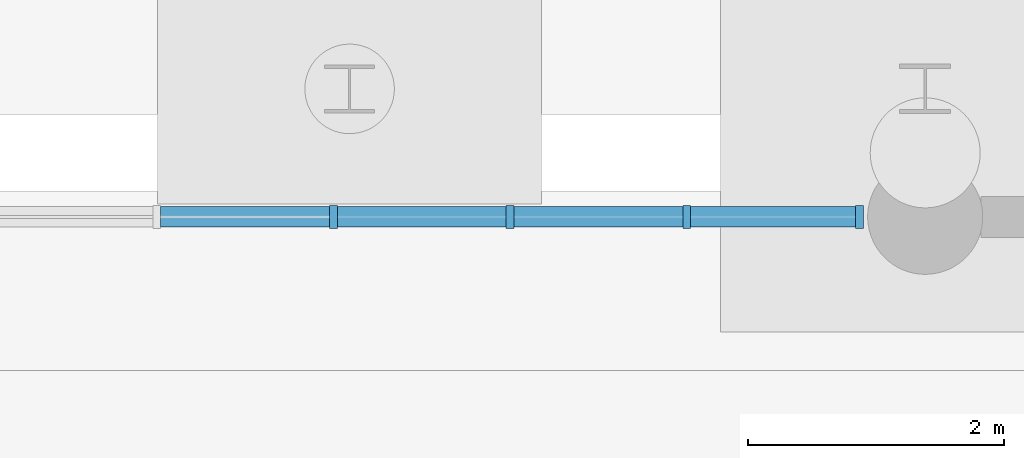
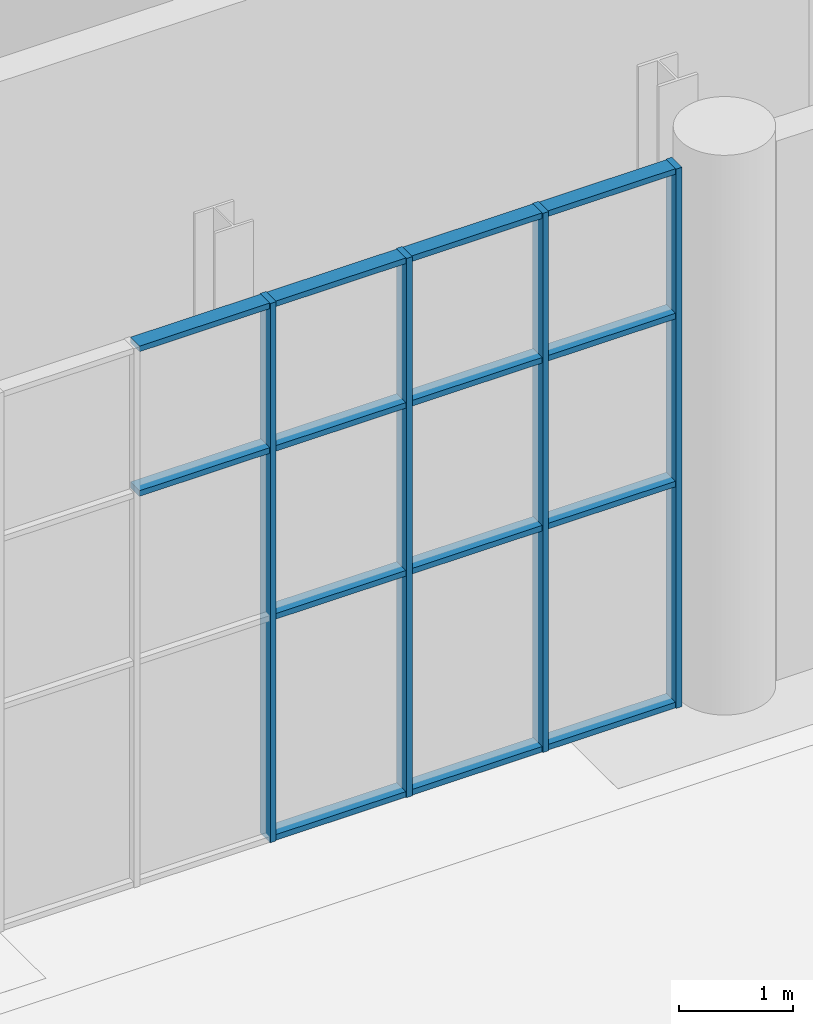
# One storey, part 42 of 131: 18 members, 1 element without a shape of its own.
"""IFC4 building model written with IfcOpenShell, lengths in metres."""

from ifc_helpers import new_model, si_unit, direction, frame, origin, origin_2d, place, context, subcontext, project, spatial, rectangle, extrude, material, layer, layer_set, material_profile, profile_set, type_object, element, aggregate, save


model = new_model("IFC4")

# Units and contexts
model_context = context("Model", 3, precision=1e-05, world=origin(), true_north=direction((0.0, 1.0)))
body_context = subcontext(model_context, "Body", "Model", "MODEL_VIEW")
ifc_project = project(units=[si_unit("LENGTHUNIT", "METRE"), si_unit("AREAUNIT", "SQUARE_METRE"), si_unit("VOLUMEUNIT", "CUBIC_METRE"), si_unit("PLANEANGLEUNIT", "RADIAN"), si_unit("MASSUNIT", "GRAM", prefix="KILO")], contexts=[model_context])

# Site, building, storey
site_placement = place(None, origin())
site = spatial("IfcSite", under=ifc_project, at=site_placement, CompositionType="ELEMENT")
building_placement = place(site_placement, origin())
building = spatial("IfcBuilding", under=site, at=building_placement, Name="Cazmaro Siding Exhibition Halls", CompositionType="ELEMENT")
storey_placement = place(building_placement, origin())
storey = spatial("IfcBuildingStorey", under=building, at=storey_placement, Name="L00", CompositionType="ELEMENT", Elevation=0.0)

# Curtain wall, members
ifc_material_1 = material(Name="Anodized Bronze Aluminum and Solar-Control Low-E Glazing", Category="aluminium")
ifc_layer = layer(ifc_material_1, 0.179931640625)
ifc_layer_set = layer_set([ifc_layer], Name="Anodized Bronze Aluminum and Solar-Control Low-E Glazing")
curtain_wall_type = type_object("IfcCurtainWallType", Name="CWS-01", PredefinedType="USERDEFINED", material=ifc_layer_set)
curtain_wall_placement = place(storey_placement, origin())
curtain_wall = element("IfcCurtainWall", 1, at=curtain_wall_placement, inside=storey, type_object=curtain_wall_type, Name="Glazed Curtain Wall CWS-01 CW-145", ObjectType="GLAZED CURTAIN WALL", PredefinedType="USERDEFINED")
ifc_material_2 = material(Name="Anodized Bronze Extruded Aluminum", Category="aluminium")
ifc_material_profile_1 = material_profile(ifc_material_2, rectangle(XDim=0.179931640625, YDim=0.06005859375, at=origin_2d()), Name="CWM-01")
ifc_profile_set_1 = profile_set([ifc_material_profile_1], Name="Anodized Bronze Extruded Aluminum")
member_type_1 = type_object("IfcMemberType", Name="CWM-01", PredefinedType="MULLION", material=ifc_profile_set_1)
member_1_placement = place(storey_placement, frame((53.487060546875, 63.0, 0.0), z_axis=(0.0, 0.0, 1.0), x_axis=(0.0, -1.0, 0.0)))
member_1 = element("IfcMember", 2, at=member_1_placement, type_object=member_type_1, Name="CWS-01 mullion 1", PredefinedType="MULLION", context=body_context, shape_type="SweptSolid", body=[
    extrude(rectangle(XDim=0.179931640625, YDim=0.06005859375, at=origin_2d()), origin(), (0.0, 0.0, 1.0), 5.780029296875),
])
member_2_placement = place(storey_placement, frame((52.1357421875, 63.0, 0.0), z_axis=(0.0, 0.0, 1.0), x_axis=(0.0, -1.0, 0.0)))
member_2 = element("IfcMember", 3, at=member_2_placement, type_object=member_type_1, Name="CWS-01 mullion 2", PredefinedType="MULLION", context=body_context, shape_type="SweptSolid", body=[
    extrude(rectangle(XDim=0.179931640625, YDim=0.06005859375, at=origin_2d()), origin(), (0.0, 0.0, 1.0), 5.780029296875),
])
member_3_placement = place(storey_placement, frame((50.754638671875, 63.0, 0.0), z_axis=(0.0, 0.0, 1.0), x_axis=(0.0, -1.0, 0.0)))
member_3 = element("IfcMember", 4, at=member_3_placement, type_object=member_type_1, Name="CWS-01 mullion 3", PredefinedType="MULLION", context=body_context, shape_type="SweptSolid", body=[
    extrude(rectangle(XDim=0.179931640625, YDim=0.06005859375, at=origin_2d()), origin(), (0.0, 0.0, 1.0), 5.780029296875),
])
member_4_placement = place(storey_placement, frame((49.37353515625, 63.0, 0.0), z_axis=(0.0, 0.0, 1.0), x_axis=(0.0, -1.0, 0.0)))
member_4 = element("IfcMember", 5, at=member_4_placement, type_object=member_type_1, Name="CWS-01 mullion 4", PredefinedType="MULLION", context=body_context, shape_type="SweptSolid", body=[
    extrude(rectangle(XDim=0.179931640625, YDim=0.06005859375, at=origin_2d()), origin(), (0.0, 0.0, 1.0), 5.780029296875),
])
ifc_material_3 = material(Name="Anodized Bronze Extruded Aluminum", Category="aluminium")
ifc_material_profile_2 = material_profile(ifc_material_3, rectangle(XDim=0.159912109375, YDim=0.06005859375, at=origin_2d()), Name="CWT-01")
ifc_profile_set_2 = profile_set([ifc_material_profile_2], Name="Anodized Bronze Extruded Aluminum")
member_type_2 = type_object("IfcMemberType", Name="CWT-01", PredefinedType="MULLION", material=ifc_profile_set_2)
member_5_placement = place(storey_placement, frame((53.45703125, 63.0, 0.030029296875), z_axis=(-1.0, 0.0, 0.0), x_axis=(0.0, -1.0, 0.0)))
member_5 = element("IfcMember", 6, at=member_5_placement, type_object=member_type_2, Name="CWS-01 transom 1.1", ObjectType="TRANSOM", PredefinedType="USERDEFINED", context=body_context, shape_type="SweptSolid", body=[
    extrude(rectangle(XDim=0.159912109375, YDim=0.06005859375, at=origin_2d()), origin(), (0.0, 0.0, 1.0), 1.291259765625),
])
member_6_placement = place(storey_placement, frame((53.45703125, 63.0, 2.39990234375), z_axis=(-1.0, 0.0, 0.0), x_axis=(0.0, -1.0, 0.0)))
member_6 = element("IfcMember", 7, at=member_6_placement, type_object=member_type_2, Name="CWS-01 transom 1.2", ObjectType="TRANSOM", PredefinedType="USERDEFINED", context=body_context, shape_type="SweptSolid", body=[
    extrude(rectangle(XDim=0.159912109375, YDim=0.06005859375, at=origin_2d()), origin(), (0.0, 0.0, 1.0), 1.291259765625),
])
member_7_placement = place(storey_placement, frame((53.45703125, 63.0, 4.199951171875), z_axis=(-1.0, 0.0, 0.0), x_axis=(0.0, -1.0, 0.0)))
member_7 = element("IfcMember", 8, at=member_7_placement, type_object=member_type_2, Name="CWS-01 transom 1.3", ObjectType="TRANSOM", PredefinedType="USERDEFINED", context=body_context, shape_type="SweptSolid", body=[
    extrude(rectangle(XDim=0.159912109375, YDim=0.06005859375, at=origin_2d()), origin(), (0.0, 0.0, 1.0), 1.291259765625),
])
member_8_placement = place(storey_placement, frame((53.45703125, 63.0, 5.75), z_axis=(-1.0, 0.0, 0.0), x_axis=(0.0, -1.0, 0.0)))
member_8 = element("IfcMember", 9, at=member_8_placement, type_object=member_type_2, Name="CWS-01 transom 1.4", ObjectType="TRANSOM", PredefinedType="USERDEFINED", context=body_context, shape_type="SweptSolid", body=[
    extrude(rectangle(XDim=0.159912109375, YDim=0.06005859375, at=origin_2d()), origin(), (0.0, 0.0, 1.0), 1.291259765625),
])
member_9_placement = place(storey_placement, frame((52.105712890625, 63.0, 0.030029296875), z_axis=(-1.0, 0.0, 0.0), x_axis=(0.0, -1.0, 0.0)))
member_9 = element("IfcMember", 10, at=member_9_placement, type_object=member_type_2, Name="CWS-01 transom 2.1", ObjectType="TRANSOM", PredefinedType="USERDEFINED", context=body_context, shape_type="SweptSolid", body=[
    extrude(rectangle(XDim=0.159912109375, YDim=0.06005859375, at=origin_2d()), origin(), (0.0, 0.0, 1.0), 1.321044921875),
])
member_10_placement = place(storey_placement, frame((52.105712890625, 63.0, 2.39990234375), z_axis=(-1.0, 0.0, 0.0), x_axis=(0.0, -1.0, 0.0)))
member_10 = element("IfcMember", 11, at=member_10_placement, type_object=member_type_2, Name="CWS-01 transom 2.2", ObjectType="TRANSOM", PredefinedType="USERDEFINED", context=body_context, shape_type="SweptSolid", body=[
    extrude(rectangle(XDim=0.159912109375, YDim=0.06005859375, at=origin_2d()), origin(), (0.0, 0.0, 1.0), 1.321044921875),
])
member_11_placement = place(storey_placement, frame((52.105712890625, 63.0, 4.199951171875), z_axis=(-1.0, 0.0, 0.0), x_axis=(0.0, -1.0, 0.0)))
member_11 = element("IfcMember", 12, at=member_11_placement, type_object=member_type_2, Name="CWS-01 transom 2.3", ObjectType="TRANSOM", PredefinedType="USERDEFINED", context=body_context, shape_type="SweptSolid", body=[
    extrude(rectangle(XDim=0.159912109375, YDim=0.06005859375, at=origin_2d()), origin(), (0.0, 0.0, 1.0), 1.321044921875),
])
member_12_placement = place(storey_placement, frame((52.105712890625, 63.0, 5.75), z_axis=(-1.0, 0.0, 0.0), x_axis=(0.0, -1.0, 0.0)))
member_12 = element("IfcMember", 13, at=member_12_placement, type_object=member_type_2, Name="CWS-01 transom 2.4", ObjectType="TRANSOM", PredefinedType="USERDEFINED", context=body_context, shape_type="SweptSolid", body=[
    extrude(rectangle(XDim=0.159912109375, YDim=0.06005859375, at=origin_2d()), origin(), (0.0, 0.0, 1.0), 1.321044921875),
])
member_13_placement = place(storey_placement, frame((50.724609375, 63.0, 0.030029296875), z_axis=(-1.0, 0.0, 0.0), x_axis=(0.0, -1.0, 0.0)))
member_13 = element("IfcMember", 14, at=member_13_placement, type_object=member_type_2, Name="CWS-01 transom 3.1", ObjectType="TRANSOM", PredefinedType="USERDEFINED", context=body_context, shape_type="SweptSolid", body=[
    extrude(rectangle(XDim=0.159912109375, YDim=0.06005859375, at=origin_2d()), origin(), (0.0, 0.0, 1.0), 1.321044921875),
])
member_14_placement = place(storey_placement, frame((50.724609375, 63.0, 2.39990234375), z_axis=(-1.0, 0.0, 0.0), x_axis=(0.0, -1.0, 0.0)))
member_14 = element("IfcMember", 15, at=member_14_placement, type_object=member_type_2, Name="CWS-01 transom 3.2", ObjectType="TRANSOM", PredefinedType="USERDEFINED", context=body_context, shape_type="SweptSolid", body=[
    extrude(rectangle(XDim=0.159912109375, YDim=0.06005859375, at=origin_2d()), origin(), (0.0, 0.0, 1.0), 1.321044921875),
])
member_15_placement = place(storey_placement, frame((50.724609375, 63.0, 4.199951171875), z_axis=(-1.0, 0.0, 0.0), x_axis=(0.0, -1.0, 0.0)))
member_15 = element("IfcMember", 16, at=member_15_placement, type_object=member_type_2, Name="CWS-01 transom 3.3", ObjectType="TRANSOM", PredefinedType="USERDEFINED", context=body_context, shape_type="SweptSolid", body=[
    extrude(rectangle(XDim=0.159912109375, YDim=0.06005859375, at=origin_2d()), origin(), (0.0, 0.0, 1.0), 1.321044921875),
])
member_16_placement = place(storey_placement, frame((50.724609375, 63.0, 5.75), z_axis=(-1.0, 0.0, 0.0), x_axis=(0.0, -1.0, 0.0)))
member_16 = element("IfcMember", 17, at=member_16_placement, type_object=member_type_2, Name="CWS-01 transom 3.4", ObjectType="TRANSOM", PredefinedType="USERDEFINED", context=body_context, shape_type="SweptSolid", body=[
    extrude(rectangle(XDim=0.159912109375, YDim=0.06005859375, at=origin_2d()), origin(), (0.0, 0.0, 1.0), 1.321044921875),
])
member_17_placement = place(storey_placement, frame((49.343505859375, 63.0, 4.199951171875), z_axis=(-1.0, 0.0, 0.0), x_axis=(0.0, -1.0, 0.0)))
member_17 = element("IfcMember", 18, at=member_17_placement, type_object=member_type_2, Name="CWS-01 transom 4.3", ObjectType="TRANSOM", PredefinedType="USERDEFINED", context=body_context, shape_type="SweptSolid", body=[
    extrude(rectangle(XDim=0.159912109375, YDim=0.06005859375, at=origin_2d()), origin(), (0.0, 0.0, 1.0), 1.3212890625),
])
member_18_placement = place(storey_placement, frame((49.343505859375, 63.0, 5.75), z_axis=(-1.0, 0.0, 0.0), x_axis=(0.0, -1.0, 0.0)))
member_18 = element("IfcMember", 19, at=member_18_placement, type_object=member_type_2, Name="CWS-01 transom 4.4", ObjectType="TRANSOM", PredefinedType="USERDEFINED", context=body_context, shape_type="SweptSolid", body=[
    extrude(rectangle(XDim=0.159912109375, YDim=0.06005859375, at=origin_2d()), origin(), (0.0, 0.0, 1.0), 1.3212890625),
])
aggregate(curtain_wall, [member_1, member_2, member_3, member_4, member_5, member_6, member_7, member_8, member_9, member_10, member_11, member_12, member_13, member_14, member_15, member_16, member_17, member_18])

save(model, "model.ifc")
